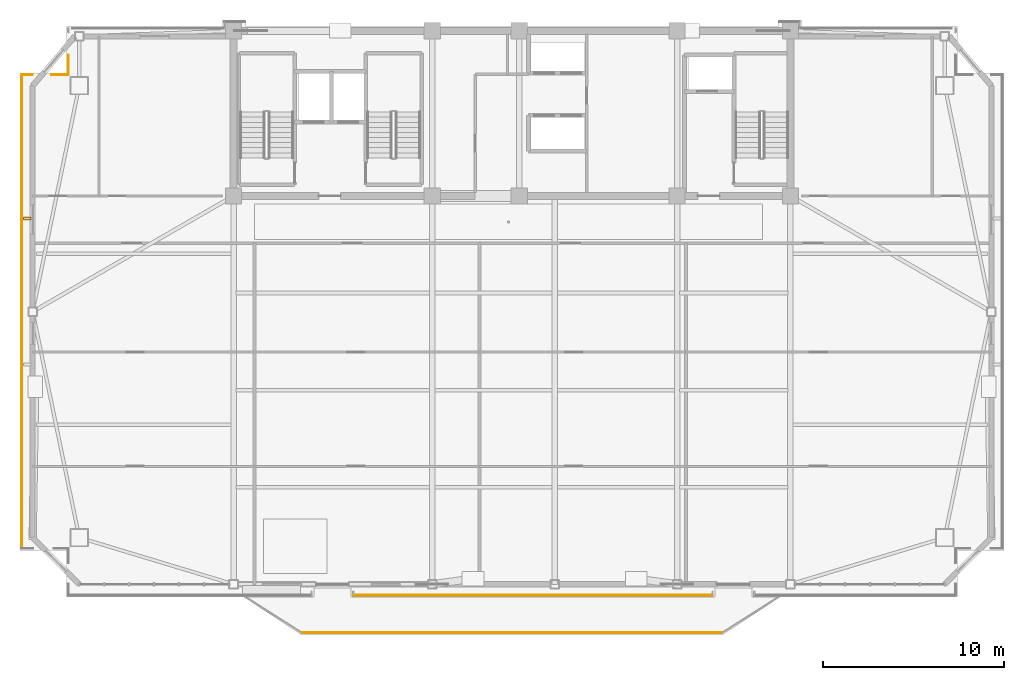
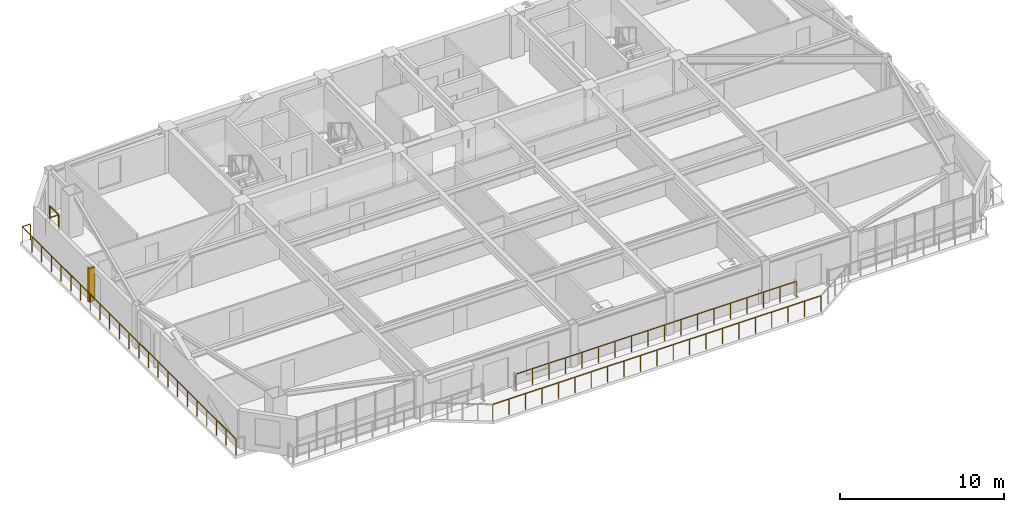
# One storey, part 14 of 18: 6 railings, 1 shading device.
"""IFC4 building model written with IfcOpenShell, lengths in metres."""

from ifc_helpers import new_model, si_unit, direction, frame, origin, origin_2d, place, context, subcontext, project, spatial, rectangle, extrude, source, transform, mapped, material, type_object, element, save


model = new_model("IFC4")

# Units and contexts
model_context = context("Model", 3, precision=1e-05, world=origin(), true_north=direction((0.0, 1.0)))
body_context = subcontext(model_context, "Body", "Model", "MODEL_VIEW")
ifc_project = project(units=[si_unit("LENGTHUNIT", "METRE"), si_unit("AREAUNIT", "SQUARE_METRE"), si_unit("VOLUMEUNIT", "CUBIC_METRE"), si_unit("PLANEANGLEUNIT", "RADIAN"), si_unit("MASSUNIT", "GRAM", prefix="KILO")], contexts=[model_context])

# Site, building, storey
site_placement = place(None, origin())
site = spatial("IfcSite", under=ifc_project, at=site_placement, CompositionType="ELEMENT")
building_placement = place(site_placement, origin())
building = spatial("IfcBuilding", under=site, at=building_placement, Name="Giltprow Tower", CompositionType="ELEMENT")
storey_placement = place(building_placement, frame((0.0, 0.0, 258.699951171875)))
storey = spatial("IfcBuildingStorey", under=building, at=storey_placement, Name="L66", CompositionType="ELEMENT", Elevation=258.699951171875)

# Railings
ifc_material = material(Name="Anodized bronze", Category="metal")
railing_type = type_object("IfcRailingType", Name="RAIL-BALC-GUARD-1200", PredefinedType="BALUSTRADE", material=ifc_material)
railing_1_placement = place(storey_placement, frame((23.6201171875, 13.364990234375, 0.0)))
element("IfcRailing", 1, at=railing_1_placement, inside=storey, type_object=railing_type, Name="L66 Waterfront Balcony Balustrade Seg 2", PredefinedType="BALUSTRADE", context=body_context, shape_type="SweptSolid", body=[
    extrude(rectangle(XDim=0.048095703125, YDim=0.048095703125, at=origin_2d()), frame((0.0, 0.0, 1.17578125), z_axis=(1.0, 0.0, 0.0), x_axis=(0.0, 1.0, 0.0)), (0.0, 0.0, 1.0), 23.159912109375),
    extrude(rectangle(XDim=0.0419921875, YDim=0.0419921875, at=origin_2d()), origin(), (0.0, 0.0, 1.0), 1.15185546875),
    extrude(rectangle(XDim=0.0419921875, YDim=0.0419921875, at=origin_2d()), frame((1.157958984375, 0.0, 0.0)), (0.0, 0.0, 1.0), 1.15185546875),
    extrude(rectangle(XDim=0.0419921875, YDim=0.0419921875, at=origin_2d()), frame((2.31591796875, 0.0, 0.0)), (0.0, 0.0, 1.0), 1.15185546875),
    extrude(rectangle(XDim=0.0419921875, YDim=0.0419921875, at=origin_2d()), frame((3.473876953125, 0.0, 0.0)), (0.0, 0.0, 1.0), 1.15185546875),
    extrude(rectangle(XDim=0.0419921875, YDim=0.0419921875, at=origin_2d()), frame((4.632080078125, 0.0, 0.0)), (0.0, 0.0, 1.0), 1.15185546875),
    extrude(rectangle(XDim=0.0419921875, YDim=0.0419921875, at=origin_2d()), frame((5.7900390625, 0.0, 0.0)), (0.0, 0.0, 1.0), 1.15185546875),
    extrude(rectangle(XDim=0.0419921875, YDim=0.0419921875, at=origin_2d()), frame((6.947998046875, 0.0, 0.0)), (0.0, 0.0, 1.0), 1.15185546875),
    extrude(rectangle(XDim=0.0419921875, YDim=0.0419921875, at=origin_2d()), frame((8.10595703125, 0.0, 0.0)), (0.0, 0.0, 1.0), 1.15185546875),
    extrude(rectangle(XDim=0.0419921875, YDim=0.0419921875, at=origin_2d()), frame((9.263916015625, 0.0, 0.0)), (0.0, 0.0, 1.0), 1.15185546875),
    extrude(rectangle(XDim=0.0419921875, YDim=0.0419921875, at=origin_2d()), frame((10.421875, 0.0, 0.0)), (0.0, 0.0, 1.0), 1.15185546875),
    extrude(rectangle(XDim=0.0419921875, YDim=0.0419921875, at=origin_2d()), frame((11.580078125, 0.0, 0.0)), (0.0, 0.0, 1.0), 1.15185546875),
    extrude(rectangle(XDim=0.0419921875, YDim=0.0419921875, at=origin_2d()), frame((12.738037109375, 0.0, 0.0)), (0.0, 0.0, 1.0), 1.15185546875),
    extrude(rectangle(XDim=0.0419921875, YDim=0.0419921875, at=origin_2d()), frame((13.89599609375, 0.0, 0.0)), (0.0, 0.0, 1.0), 1.15185546875),
    extrude(rectangle(XDim=0.0419921875, YDim=0.0419921875, at=origin_2d()), frame((15.053955078125, 0.0, 0.0)), (0.0, 0.0, 1.0), 1.15185546875),
    extrude(rectangle(XDim=0.0419921875, YDim=0.0419921875, at=origin_2d()), frame((16.2119140625, 0.0, 0.0)), (0.0, 0.0, 1.0), 1.15185546875),
    extrude(rectangle(XDim=0.0419921875, YDim=0.0419921875, at=origin_2d()), frame((17.369873046875, 0.0, 0.0)), (0.0, 0.0, 1.0), 1.15185546875),
    extrude(rectangle(XDim=0.0419921875, YDim=0.0419921875, at=origin_2d()), frame((18.52783203125, 0.0, 0.0)), (0.0, 0.0, 1.0), 1.15185546875),
    extrude(rectangle(XDim=0.0419921875, YDim=0.0419921875, at=origin_2d()), frame((19.68603515625, 0.0, 0.0)), (0.0, 0.0, 1.0), 1.15185546875),
    extrude(rectangle(XDim=0.0419921875, YDim=0.0419921875, at=origin_2d()), frame((20.843994140625, 0.0, 0.0)), (0.0, 0.0, 1.0), 1.15185546875),
    extrude(rectangle(XDim=0.0419921875, YDim=0.0419921875, at=origin_2d()), frame((22.001953125, 0.0, 0.0)), (0.0, 0.0, 1.0), 1.15185546875),
    extrude(rectangle(XDim=0.0419921875, YDim=0.0419921875, at=origin_2d()), frame((23.159912109375, 0.0, 0.0)), (0.0, 0.0, 1.0), 1.15185546875),
])
railing_2_placement = place(storey_placement, frame((46.25, 15.445068359375, 0.0)))
element("IfcRailing", 2, at=railing_2_placement, inside=storey, type_object=railing_type, Name="L66 Corner Apron Edge Balustrade 9", PredefinedType="BALUSTRADE", context=body_context, shape_type="SweptSolid", body=[
    extrude(rectangle(XDim=0.048095703125, YDim=0.048095703125, at=origin_2d()), frame((0.0, 0.0, 1.17578125), z_axis=(-1.0, 0.0, 0.0), x_axis=(0.0, -1.0, 0.0)), (0.0, 0.0, 1.0), 19.800048828125),
    extrude(rectangle(XDim=0.0419921875, YDim=0.0419921875, at=origin_2d()), origin(), (0.0, 0.0, 1.0), 1.15185546875),
    extrude(rectangle(XDim=0.0419921875, YDim=0.0419921875, at=origin_2d()), frame((-1.164794921875, 0.0, 0.0)), (0.0, 0.0, 1.0), 1.15185546875),
    extrude(rectangle(XDim=0.0419921875, YDim=0.0419921875, at=origin_2d()), frame((-2.329345703125, 0.0, 0.0)), (0.0, 0.0, 1.0), 1.15185546875),
    extrude(rectangle(XDim=0.0419921875, YDim=0.0419921875, at=origin_2d()), frame((-3.494140625, 0.0, 0.0)), (0.0, 0.0, 1.0), 1.15185546875),
    extrude(rectangle(XDim=0.0419921875, YDim=0.0419921875, at=origin_2d()), frame((-4.658935546875, 0.0, 0.0)), (0.0, 0.0, 1.0), 1.15185546875),
    extrude(rectangle(XDim=0.0419921875, YDim=0.0419921875, at=origin_2d()), frame((-5.823486328125, 0.0, 0.0)), (0.0, 0.0, 1.0), 1.15185546875),
    extrude(rectangle(XDim=0.0419921875, YDim=0.0419921875, at=origin_2d()), frame((-6.98828125, 0.0, 0.0)), (0.0, 0.0, 1.0), 1.15185546875),
    extrude(rectangle(XDim=0.0419921875, YDim=0.0419921875, at=origin_2d()), frame((-8.153076171875, 0.0, 0.0)), (0.0, 0.0, 1.0), 1.15185546875),
    extrude(rectangle(XDim=0.0419921875, YDim=0.0419921875, at=origin_2d()), frame((-9.317626953125, 0.0, 0.0)), (0.0, 0.0, 1.0), 1.15185546875),
    extrude(rectangle(XDim=0.0419921875, YDim=0.0419921875, at=origin_2d()), frame((-10.482421875, 0.0, 0.0)), (0.0, 0.0, 1.0), 1.15185546875),
    extrude(rectangle(XDim=0.0419921875, YDim=0.0419921875, at=origin_2d()), frame((-11.64697265625, 0.0, 0.0)), (0.0, 0.0, 1.0), 1.15185546875),
    extrude(rectangle(XDim=0.0419921875, YDim=0.0419921875, at=origin_2d()), frame((-12.811767578125, 0.0, 0.0)), (0.0, 0.0, 1.0), 1.15185546875),
    extrude(rectangle(XDim=0.0419921875, YDim=0.0419921875, at=origin_2d()), frame((-13.9765625, 0.0, 0.0)), (0.0, 0.0, 1.0), 1.15185546875),
    extrude(rectangle(XDim=0.0419921875, YDim=0.0419921875, at=origin_2d()), frame((-15.14111328125, 0.0, 0.0)), (0.0, 0.0, 1.0), 1.15185546875),
    extrude(rectangle(XDim=0.0419921875, YDim=0.0419921875, at=origin_2d()), frame((-16.305908203125, 0.0, 0.0)), (0.0, 0.0, 1.0), 1.15185546875),
    extrude(rectangle(XDim=0.0419921875, YDim=0.0419921875, at=origin_2d()), frame((-17.470703125, 0.0, 0.0)), (0.0, 0.0, 1.0), 1.15185546875),
    extrude(rectangle(XDim=0.0419921875, YDim=0.0419921875, at=origin_2d()), frame((-18.63525390625, 0.0, 0.0)), (0.0, 0.0, 1.0), 1.15185546875),
    extrude(rectangle(XDim=0.0419921875, YDim=0.0419921875, at=origin_2d()), frame((-19.800048828125, 0.0, 0.0)), (0.0, 0.0, 1.0), 1.15185546875),
])
railing_3_placement = place(storey_placement, frame((8.178955078125, 18.012939453125, 0.0)))
element("IfcRailing", 3, at=railing_3_placement, inside=storey, type_object=railing_type, Name="L66 Corner Apron Edge Balustrade 17", PredefinedType="BALUSTRADE", context=body_context, shape_type="SweptSolid", body=[
    extrude(rectangle(XDim=0.048095703125, YDim=0.048095703125, at=origin_2d()), frame((0.0, 0.0, 1.17578125), z_axis=(0.0, 1.0, 0.0), x_axis=(-1.0, 0.0, 0.0)), (0.0, 0.0, 1.0), 26.116943359375),
    extrude(rectangle(XDim=0.0419921875, YDim=0.0419921875, at=origin_2d()), origin(), (0.0, 0.0, 1.0), 1.15185546875),
    extrude(rectangle(XDim=0.0419921875, YDim=0.0419921875, at=origin_2d()), frame((0.0, 1.18701171875, 0.0)), (0.0, 0.0, 1.0), 1.15185546875),
    extrude(rectangle(XDim=0.0419921875, YDim=0.0419921875, at=origin_2d()), frame((0.0, 2.374267578125, 0.0)), (0.0, 0.0, 1.0), 1.15185546875),
    extrude(rectangle(XDim=0.0419921875, YDim=0.0419921875, at=origin_2d()), frame((0.0, 3.561279296875, 0.0)), (0.0, 0.0, 1.0), 1.15185546875),
    extrude(rectangle(XDim=0.0419921875, YDim=0.0419921875, at=origin_2d()), frame((0.0, 4.74853515625, 0.0)), (0.0, 0.0, 1.0), 1.15185546875),
    extrude(rectangle(XDim=0.0419921875, YDim=0.0419921875, at=origin_2d()), frame((0.0, 5.935546875, 0.0)), (0.0, 0.0, 1.0), 1.15185546875),
    extrude(rectangle(XDim=0.0419921875, YDim=0.0419921875, at=origin_2d()), frame((0.0, 7.122802734375, 0.0)), (0.0, 0.0, 1.0), 1.15185546875),
    extrude(rectangle(XDim=0.0419921875, YDim=0.0419921875, at=origin_2d()), frame((0.0, 8.31005859375, 0.0)), (0.0, 0.0, 1.0), 1.15185546875),
    extrude(rectangle(XDim=0.0419921875, YDim=0.0419921875, at=origin_2d()), frame((0.0, 9.4970703125, 0.0)), (0.0, 0.0, 1.0), 1.15185546875),
    extrude(rectangle(XDim=0.0419921875, YDim=0.0419921875, at=origin_2d()), frame((0.0, 10.68408203125, 0.0)), (0.0, 0.0, 1.0), 1.15185546875),
    extrude(rectangle(XDim=0.0419921875, YDim=0.0419921875, at=origin_2d()), frame((0.0, 11.871337890625, 0.0)), (0.0, 0.0, 1.0), 1.15185546875),
    extrude(rectangle(XDim=0.0419921875, YDim=0.0419921875, at=origin_2d()), frame((0.0, 13.05859375, 0.0)), (0.0, 0.0, 1.0), 1.15185546875),
    extrude(rectangle(XDim=0.0419921875, YDim=0.0419921875, at=origin_2d()), frame((0.0, 14.24560546875, 0.0)), (0.0, 0.0, 1.0), 1.15185546875),
    extrude(rectangle(XDim=0.0419921875, YDim=0.0419921875, at=origin_2d()), frame((0.0, 15.4326171875, 0.0)), (0.0, 0.0, 1.0), 1.15185546875),
    extrude(rectangle(XDim=0.0419921875, YDim=0.0419921875, at=origin_2d()), frame((0.0, 16.619873046875, 0.0)), (0.0, 0.0, 1.0), 1.15185546875),
    extrude(rectangle(XDim=0.0419921875, YDim=0.0419921875, at=origin_2d()), frame((0.0, 17.80712890625, 0.0)), (0.0, 0.0, 1.0), 1.15185546875),
    extrude(rectangle(XDim=0.0419921875, YDim=0.0419921875, at=origin_2d()), frame((0.0, 18.994140625, 0.0)), (0.0, 0.0, 1.0), 1.15185546875),
    extrude(rectangle(XDim=0.0419921875, YDim=0.0419921875, at=origin_2d()), frame((0.0, 20.18115234375, 0.0)), (0.0, 0.0, 1.0), 1.15185546875),
    extrude(rectangle(XDim=0.0419921875, YDim=0.0419921875, at=origin_2d()), frame((0.0, 21.368408203125, 0.0)), (0.0, 0.0, 1.0), 1.15185546875),
    extrude(rectangle(XDim=0.0419921875, YDim=0.0419921875, at=origin_2d()), frame((0.0, 22.5556640625, 0.0)), (0.0, 0.0, 1.0), 1.15185546875),
    extrude(rectangle(XDim=0.0419921875, YDim=0.0419921875, at=origin_2d()), frame((0.0, 23.74267578125, 0.0)), (0.0, 0.0, 1.0), 1.15185546875),
    extrude(rectangle(XDim=0.0419921875, YDim=0.0419921875, at=origin_2d()), frame((0.0, 24.9296875, 0.0)), (0.0, 0.0, 1.0), 1.15185546875),
    extrude(rectangle(XDim=0.0419921875, YDim=0.0419921875, at=origin_2d()), frame((0.0, 26.116943359375, 0.0)), (0.0, 0.0, 1.0), 1.15185546875),
])
railing_4_placement = place(storey_placement, frame((8.178955078125, 44.1298828125, 0.0)))
element("IfcRailing", 4, at=railing_4_placement, inside=storey, type_object=railing_type, Name="L66 Corner Apron Edge Balustrade 18", PredefinedType="BALUSTRADE", context=body_context, shape_type="SweptSolid", body=[
    extrude(rectangle(XDim=0.048095703125, YDim=0.048095703125, at=origin_2d()), frame((0.0, 0.0, 1.17578125), z_axis=(1.0, 0.0, 0.0), x_axis=(0.0, 1.0, 0.0)), (0.0, 0.0, 1.0), 0.572998046875),
    extrude(rectangle(XDim=0.0419921875, YDim=0.0419921875, at=origin_2d()), origin(), (0.0, 0.0, 1.0), 1.15185546875),
    extrude(rectangle(XDim=0.0419921875, YDim=0.0419921875, at=origin_2d()), frame((0.572998046875, 0.0, 0.0)), (0.0, 0.0, 1.0), 1.15185546875),
])
railing_5_placement = place(storey_placement, frame((9.8291015625, 44.1298828125, 0.0)))
element("IfcRailing", 5, at=railing_5_placement, inside=storey, type_object=railing_type, Name="L66 Corner Apron Edge Balustrade 19", PredefinedType="BALUSTRADE", context=body_context, shape_type="SweptSolid", body=[
    extrude(rectangle(XDim=0.048095703125, YDim=0.048095703125, at=origin_2d()), frame((0.0, 0.0, 1.17578125), z_axis=(1.0, 0.0, 0.0), x_axis=(0.0, 1.0, 0.0)), (0.0, 0.0, 1.0), 0.9189453125),
    extrude(rectangle(XDim=0.0419921875, YDim=0.0419921875, at=origin_2d()), origin(), (0.0, 0.0, 1.0), 1.15185546875),
    extrude(rectangle(XDim=0.0419921875, YDim=0.0419921875, at=origin_2d()), frame((0.9189453125, 0.0, 0.0)), (0.0, 0.0, 1.0), 1.15185546875),
])
railing_6_placement = place(storey_placement, frame((10.748046875, 44.1298828125, 0.0)))
element("IfcRailing", 6, at=railing_6_placement, inside=storey, type_object=railing_type, Name="L66 Corner Apron Edge Balustrade 20", PredefinedType="BALUSTRADE", context=body_context, shape_type="SweptSolid", body=[
    extrude(rectangle(XDim=0.048095703125, YDim=0.048095703125, at=origin_2d()), frame((0.0, 0.0, 1.17578125), z_axis=(0.0, 1.0, 0.0), x_axis=(-1.0, 0.0, 0.0)), (0.0, 0.0, 1.0), 1.078125),
    extrude(rectangle(XDim=0.0419921875, YDim=0.0419921875, at=origin_2d()), origin(), (0.0, 0.0, 1.0), 1.15185546875),
    extrude(rectangle(XDim=0.0419921875, YDim=0.0419921875, at=origin_2d()), frame((0.0, 1.078125, 0.0)), (0.0, 0.0, 1.0), 1.15185546875),
])

# Shading device
shading_device_type = type_object("IfcShadingDeviceType", Name="SHD-FIN-420", PredefinedType="USERDEFINED", material=ifc_material)
shared_shape = source(origin(), body_context, "Body", "SweptSolid", [
    extrude(rectangle(XDim=0.419921875, YDim=0.159912109375, at=origin_2d()), origin(), (0.0, 0.0, 1.0), 2.5),
])
shading_device_placement = place(storey_placement, frame((8.47900390625, 36.2060546875, 0.35009765625), z_axis=(0.0, 0.0, 1.0), x_axis=(1.0, 0.0, 0.0)))
element("IfcShadingDevice", 7, at=shading_device_placement, inside=storey, type_object=shading_device_type, Name="L66 W Bronze Vertical Fin 2-1", ObjectType="FIN", PredefinedType="USERDEFINED", context=body_context, shape_type="MappedRepresentation", body=[
    mapped(shared_shape, transform((0.0, 0.0, 0.0), x_axis=(1.0, 0.0, 0.0), y_axis=(0.0, 1.0, 0.0), z_axis=(0.0, 0.0, 1.0), scale=1.0)),
])

save(model, "model.ifc")
